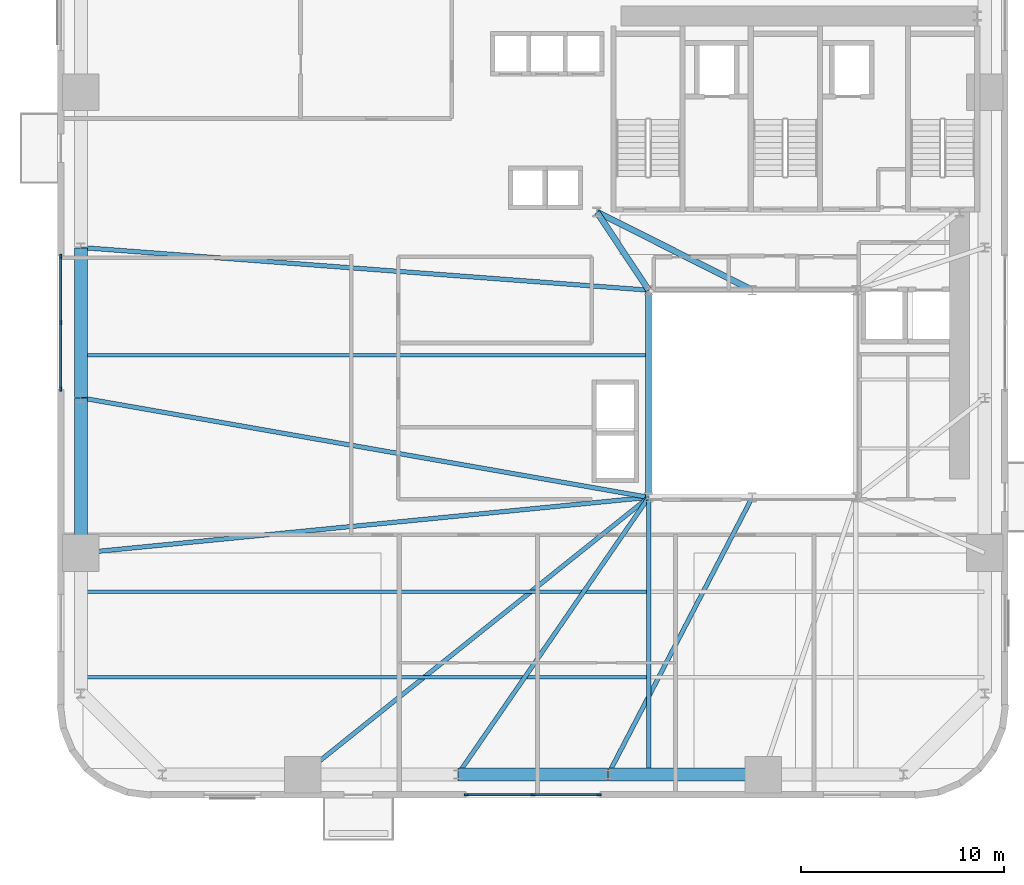
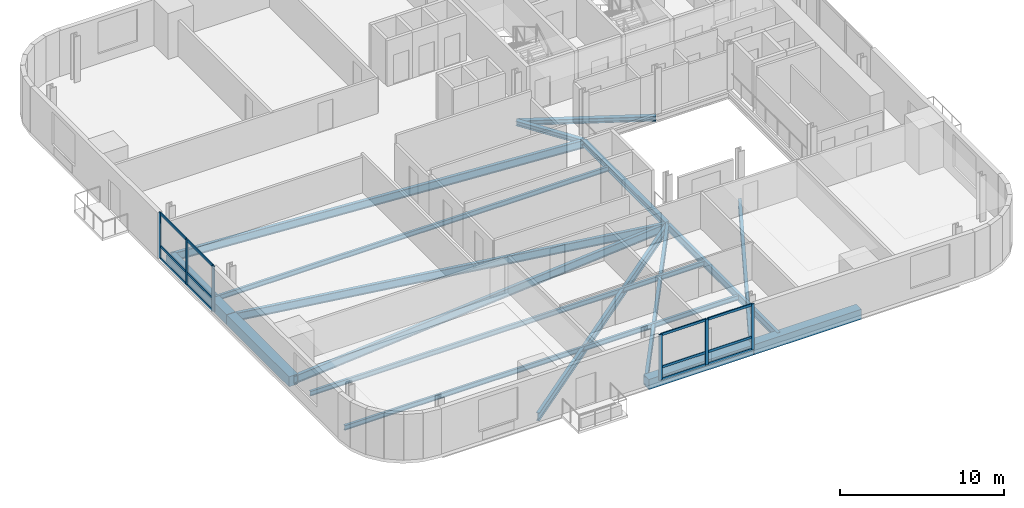
# One storey, part 2 of 11: 18 members, 17 beams, 2 elements without a shape of their own.
"""IFC4 building model written with IfcOpenShell, lengths in metres."""

from ifc_helpers import new_model, si_unit, direction, frame, origin, origin_2d, place, context, subcontext, project, spatial, rectangle, i_section, extrude, source, transform, mapped, material, material_profile, profile_set, type_object, element, aggregate, save


model = new_model("IFC4")

# Units and contexts
model_context = context("Model", 3, precision=1e-05, world=origin(), true_north=direction((0.0, 1.0)))
body_context = subcontext(model_context, "Body", "Model", "MODEL_VIEW")
ifc_project = project(units=[si_unit("LENGTHUNIT", "METRE"), si_unit("AREAUNIT", "SQUARE_METRE"), si_unit("VOLUMEUNIT", "CUBIC_METRE"), si_unit("PLANEANGLEUNIT", "RADIAN"), si_unit("MASSUNIT", "GRAM", prefix="KILO")], contexts=[model_context])

# Site, building, storey
site_placement = place(None, origin())
site = spatial("IfcSite", under=ifc_project, at=site_placement, CompositionType="ELEMENT")
building_placement = place(site_placement, origin())
building = spatial("IfcBuilding", under=site, at=building_placement, Name="Vardaveli Station Tower", CompositionType="ELEMENT")
storey_placement = place(building_placement, frame((0.0, 0.0, 78.699951171875)))
storey = spatial("IfcBuildingStorey", under=building, at=storey_placement, Name="L20", CompositionType="ELEMENT", Elevation=78.699951171875)

# Beams
ifc_material_1 = material(Name="Structural steel S355J2", Category="steel")
ifc_material_profile_1 = material_profile(ifc_material_1, i_section(OverallWidth=0.300048828125, OverallDepth=0.449951171875, WebThickness=0.013916015625, FlangeThickness=0.02587890625, FilletRadius=0.027099609375, at=origin_2d()), Name="HEB 450")
ifc_profile_set_1 = profile_set([ifc_material_profile_1], Name="Structural steel S355J2")
beam_type_1 = type_object("IfcBeamType", Name="BM-HEB450", PredefinedType="BEAM", material=ifc_profile_set_1)
shared_shape_1 = source(origin(), body_context, "Body", "SweptSolid", [
    extrude(i_section(OverallWidth=0.300048828125, OverallDepth=0.449951171875, WebThickness=0.013916015625, FlangeThickness=0.02587890625, FilletRadius=0.027099609375, at=origin_2d()), origin(), (0.0, 0.0, 1.0), 10.159912109375),
])
beam_1_placement = place(storey_placement, frame((31.199951171875, 26.780029296875, -0.46484375), z_axis=(0.0, -1.0, 0.0), x_axis=(1.0, 0.0, 0.0)))
element("IfcBeam", 1, at=beam_1_placement, inside=storey, type_object=beam_type_1, Name="ABM-L20-06", PredefinedType="BEAM", context=body_context, shape_type="MappedRepresentation", body=[
    mapped(shared_shape_1, transform((0.0, 0.0, 0.0), scale=1.0)),
])
ifc_material_profile_2 = material_profile(ifc_material_1, i_section(OverallWidth=0.300048828125, OverallDepth=0.360107421875, WebThickness=0.012451171875, FlangeThickness=0.0224609375, FilletRadius=0.027099609375, at=origin_2d()), Name="HEB 360")
ifc_profile_set_2 = profile_set([ifc_material_profile_2], Name="Structural steel S355J2")
beam_type_2 = type_object("IfcBeamType", Name="BM-HEB360", PredefinedType="BEAM", material=ifc_profile_set_2)
shared_shape_2 = source(origin(), body_context, "Body", "SweptSolid", [
    extrude(i_section(OverallWidth=0.300048828125, OverallDepth=0.360107421875, WebThickness=0.012451171875, FlangeThickness=0.0224609375, FilletRadius=0.027099609375, at=origin_2d()), origin(), (0.0, 0.0, 1.0), 4.577880859375),
])
beam_2_placement = place(storey_placement, frame((31.18896484375, 26.816650390625, -0.419921875), z_axis=(-0.55218702139, 0.833720272879, 0.0), x_axis=(-0.833720272879, -0.55218702139, 0.0)))
element("IfcBeam", 2, at=beam_2_placement, inside=storey, type_object=beam_type_2, Name="CBM-L20-01", PredefinedType="BEAM", context=body_context, shape_type="MappedRepresentation", body=[
    mapped(shared_shape_2, transform((0.0, 0.0, 0.0), scale=1.0)),
])
shared_shape_3 = source(origin(), body_context, "Body", "SweptSolid", [
    extrude(i_section(OverallWidth=0.300048828125, OverallDepth=0.360107421875, WebThickness=0.012451171875, FlangeThickness=0.0224609375, FilletRadius=0.027099609375, at=origin_2d()), origin(), (0.0, 0.0, 1.0), 8.524169921875),
])
beam_3_placement = place(storey_placement, frame((28.66796875, 30.64111328125, -0.419921875), z_axis=(0.893255584708, -0.449549174605, 0.0), x_axis=(0.449549174605, 0.893255584708, 0.0)))
element("IfcBeam", 3, at=beam_3_placement, inside=storey, type_object=beam_type_2, Name="CBM-L20-03", PredefinedType="BEAM", context=body_context, shape_type="MappedRepresentation", body=[
    mapped(shared_shape_3, transform((0.0, 0.0, 0.0), scale=1.0)),
])
ifc_material_2 = material(Name="Precast concrete C45/55", Category="concrete")
ifc_material_profile_3 = material_profile(ifc_material_2, rectangle(XDim=0.64990234375, YDim=0.75, at=origin_2d()), Name="LPB 650x750")
ifc_profile_set_3 = profile_set([ifc_material_profile_3], Name="Precast concrete C45/55")
beam_type_3 = type_object("IfcBeamType", Name="BM-LPB-750", PredefinedType="BEAM", material=ifc_profile_set_3)
shared_shape_4 = source(origin(), body_context, "Body", "SweptSolid", [
    extrude(rectangle(XDim=0.64990234375, YDim=0.75, at=origin_2d()), origin(), (0.0, 0.0, 1.0), 7.60009765625),
])
for number, where, z_axis, x_axis, name in (
    (4, (29.219970703125, 2.949951171875, -0.614990234375), (1.0, 0.0, 0.0), (0.0, 1.0, 0.0), "RBM-L20-03"),
    (5, (3.25, 21.47998046875, -0.614990234375), (0.0, -1.0, 0.0), (1.0, 0.0, 0.0), "RBM-L20-21"),
):
    element("IfcBeam", number, at=place(storey_placement, frame(where, z_axis=z_axis, x_axis=x_axis)), inside=storey, type_object=beam_type_3, Name=name, PredefinedType="BEAM", context=body_context, shape_type="MappedRepresentation", body=[
        mapped(shared_shape_4, transform((0.0, 0.0, 0.0), scale=1.0)),
    ])
shared_shape_5 = source(origin(), body_context, "Body", "SweptSolid", [
    extrude(rectangle(XDim=0.64990234375, YDim=0.75, at=origin_2d()), origin(), (0.0, 0.0, 1.0), 7.35986328125),
])
for number, where, z_axis, x_axis, name in (
    (6, (21.820068359375, 2.949951171875, -0.614990234375), (1.0, 0.0, 0.0), (0.0, 1.0, 0.0), "RBM-L20-02"),
    (7, (3.25, 28.8798828125, -0.614990234375), (0.0, -1.0, 0.0), (1.0, 0.0, 0.0), "RBM-L20-20"),
):
    element("IfcBeam", number, at=place(storey_placement, frame(where, z_axis=z_axis, x_axis=x_axis)), inside=storey, type_object=beam_type_3, Name=name, PredefinedType="BEAM", context=body_context, shape_type="MappedRepresentation", body=[
        mapped(shared_shape_5, transform((0.0, 0.0, 0.0), scale=1.0)),
    ])
ifc_material_profile_4 = material_profile(ifc_material_1, i_section(OverallWidth=0.219970703125, OverallDepth=0.60009765625, WebThickness=0.011962890625, FlangeThickness=0.01904296875, FilletRadius=0.02392578125, at=origin_2d()), Name="IPE 600")
ifc_profile_set_4 = profile_set([ifc_material_profile_4], Name="Structural steel S355J2")
beam_type_4 = type_object("IfcBeamType", Name="BM-IPE600", PredefinedType="BEAM", material=ifc_profile_set_4)
shared_shape_6 = source(origin(), body_context, "Body", "SweptSolid", [
    extrude(i_section(OverallWidth=0.219970703125, OverallDepth=0.60009765625, WebThickness=0.011962890625, FlangeThickness=0.01904296875, FilletRadius=0.02392578125, at=origin_2d()), origin(), (0.0, 0.0, 1.0), 21.793212890625),
])
beam_4_placement = place(storey_placement, frame((14.175537109375, 2.96240234375, -0.5400390625), z_axis=(0.780466445023, 0.625197671296, 0.0), x_axis=(-0.625197671296, 0.780466445023, 0.0)))
element("IfcBeam", 8, at=beam_4_placement, inside=storey, type_object=beam_type_4, Name="GBM-L20-01", PredefinedType="BEAM", context=body_context, shape_type="MappedRepresentation", body=[
    mapped(shared_shape_6, transform((0.0, 0.0, 0.0), scale=1.0)),
])
shared_shape_7 = source(origin(), body_context, "Body", "SweptSolid", [
    extrude(i_section(OverallWidth=0.219970703125, OverallDepth=0.60009765625, WebThickness=0.011962890625, FlangeThickness=0.01904296875, FilletRadius=0.02392578125, at=origin_2d()), origin(), (0.0, 0.0, 1.0), 16.533447265625),
])
beam_5_placement = place(storey_placement, frame((21.811279296875, 2.966552734375, -0.5400390625), z_axis=(0.567177272103, 0.823595739431, 0.0), x_axis=(-0.823595739431, 0.567177272103, 0.0)))
element("IfcBeam", 9, at=beam_5_placement, inside=storey, type_object=beam_type_4, Name="GBM-L20-02", PredefinedType="BEAM", context=body_context, shape_type="MappedRepresentation", body=[
    mapped(shared_shape_7, transform((0.0, 0.0, 0.0), scale=1.0)),
])
shared_shape_8 = source(origin(), body_context, "Body", "SweptSolid", [
    extrude(i_section(OverallWidth=0.219970703125, OverallDepth=0.60009765625, WebThickness=0.011962890625, FlangeThickness=0.01904296875, FilletRadius=0.02392578125, at=origin_2d()), origin(), (0.0, 0.0, 1.0), 15.34619140625),
])
beam_6_placement = place(storey_placement, frame((29.209228515625, 2.9677734375, -0.5400390625), z_axis=(0.461455420507, 0.887163398075, 0.0), x_axis=(-0.887163398075, 0.461455420507, 0.0)))
element("IfcBeam", 10, at=beam_6_placement, inside=storey, type_object=beam_type_4, Name="GBM-L20-03", PredefinedType="BEAM", context=body_context, shape_type="MappedRepresentation", body=[
    mapped(shared_shape_8, transform((0.0, 0.0, 0.0), scale=1.0)),
])
shared_shape_9 = source(origin(), body_context, "Body", "SweptSolid", [
    extrude(i_section(OverallWidth=0.219970703125, OverallDepth=0.60009765625, WebThickness=0.011962890625, FlangeThickness=0.01904296875, FilletRadius=0.02392578125, at=origin_2d()), origin(), (0.0, 0.0, 1.0), 27.98876953125),
])
beam_7_placement = place(storey_placement, frame((3.27001953125, 28.8984375, -0.5400390625), z_axis=(0.99718954315, -0.074920057611, 0.0), x_axis=(0.074920057611, 0.99718954315, 0.0)))
element("IfcBeam", 11, at=beam_7_placement, inside=storey, type_object=beam_type_4, Name="GBM-L20-08", PredefinedType="BEAM", context=body_context, shape_type="MappedRepresentation", body=[
    mapped(shared_shape_9, transform((0.0, 0.0, 0.0), scale=1.0)),
])
shared_shape_10 = source(origin(), body_context, "Body", "SweptSolid", [
    extrude(i_section(OverallWidth=0.219970703125, OverallDepth=0.60009765625, WebThickness=0.011962890625, FlangeThickness=0.01904296875, FilletRadius=0.02392578125, at=origin_2d()), origin(), (0.0, 0.0, 1.0), 28.33642578125),
])
beam_8_placement = place(storey_placement, frame((3.269775390625, 21.49658203125, -0.5400390625), z_axis=(0.984978267336, -0.172678350921, 0.0), x_axis=(0.172678350921, 0.984978267336, 0.0)))
element("IfcBeam", 12, at=beam_8_placement, inside=storey, type_object=beam_type_4, Name="GBM-L20-09", PredefinedType="BEAM", context=body_context, shape_type="MappedRepresentation", body=[
    mapped(shared_shape_10, transform((0.0, 0.0, 0.0), scale=1.0)),
])
shared_shape_11 = source(origin(), body_context, "Body", "SweptSolid", [
    extrude(i_section(OverallWidth=0.219970703125, OverallDepth=0.60009765625, WebThickness=0.011962890625, FlangeThickness=0.01904296875, FilletRadius=0.02392578125, at=origin_2d()), origin(), (0.0, 0.0, 1.0), 28.0439453125),
])
beam_9_placement = place(storey_placement, frame((3.27001953125, 13.862060546875, -0.5400390625), z_axis=(0.995229237856, 0.097564153855, 0.0), x_axis=(-0.097564153855, 0.995229237856, 0.0)))
element("IfcBeam", 13, at=beam_9_placement, inside=storey, type_object=beam_type_4, Name="GBM-L20-10", PredefinedType="BEAM", context=body_context, shape_type="MappedRepresentation", body=[
    mapped(shared_shape_11, transform((0.0, 0.0, 0.0), scale=1.0)),
])
ifc_material_profile_5 = material_profile(ifc_material_1, i_section(OverallWidth=0.2099609375, OverallDepth=0.550048828125, WebThickness=0.010986328125, FlangeThickness=0.01708984375, FilletRadius=0.02392578125, at=origin_2d()), Name="IPE 550")
ifc_profile_set_5 = profile_set([ifc_material_profile_5], Name="Structural steel S355J2")
beam_type_5 = type_object("IfcBeamType", Name="BM-IPE550", PredefinedType="BEAM", material=ifc_profile_set_5)
shared_shape_12 = source(origin(), body_context, "Body", "SweptSolid", [
    extrude(i_section(OverallWidth=0.2099609375, OverallDepth=0.550048828125, WebThickness=0.010986328125, FlangeThickness=0.01708984375, FilletRadius=0.02392578125, at=origin_2d()), origin(), (0.0, 0.0, 1.0), 13.469970703125),
])
beam_10_placement = place(storey_placement, frame((31.199951171875, 2.989990234375, -0.514892578125), z_axis=(0.0, 1.0, 0.0), x_axis=(-1.0, 0.0, 0.0)))
element("IfcBeam", 14, at=beam_10_placement, inside=storey, type_object=beam_type_5, Name="NSM-L20-S1", PredefinedType="BEAM", context=body_context, shape_type="MappedRepresentation", body=[
    mapped(shared_shape_12, transform((0.0, 0.0, 0.0), scale=1.0)),
])
ifc_material_profile_6 = material_profile(ifc_material_1, i_section(OverallWidth=0.169921875, OverallDepth=0.360107421875, WebThickness=0.008056640625, FlangeThickness=0.0126953125, FilletRadius=0.01806640625, at=origin_2d()), Name="IPE 360")
ifc_profile_set_6 = profile_set([ifc_material_profile_6], Name="Structural steel S355J2")
beam_type_6 = type_object("IfcBeamType", Name="BM-IPE360", PredefinedType="JOIST", material=ifc_profile_set_6)
shared_shape_13 = source(origin(), body_context, "Body", "SweptSolid", [
    extrude(i_section(OverallWidth=0.169921875, OverallDepth=0.360107421875, WebThickness=0.008056640625, FlangeThickness=0.0126953125, FilletRadius=0.01806640625, at=origin_2d()), origin(), (0.0, 0.0, 1.0), 27.7978515625),
])
for number, where, z_axis, x_axis, name in (
    (15, (3.2900390625, 7.75, -0.419921875), (1.0, 0.0, 0.0), (0.0, 1.0, 0.0), "SJ-L20-S01"),
    (16, (3.2900390625, 11.949951171875, -0.419921875), (1.0, 0.0, 0.0), (0.0, 1.0, 0.0), "SJ-L20-S04"),
    (17, (3.2900390625, 23.60009765625, -0.419921875), (1.0, 0.0, 0.0), (0.0, 1.0, 0.0), "SJ-L20-W08"),
):
    element("IfcBeam", number, at=place(storey_placement, frame(where, z_axis=z_axis, x_axis=x_axis)), inside=storey, type_object=beam_type_6, Name=name, PredefinedType="JOIST", context=body_context, shape_type="MappedRepresentation", body=[
        mapped(shared_shape_13, transform((0.0, 0.0, 0.0), scale=1.0)),
    ])

# Curtain wall, members
ifc_material_3 = material(Name="Travertine stone and solar-control glass", Category="masonry")
curtain_wall_type = type_object("IfcCurtainWallType", Name="CW-SYS-2", PredefinedType="NOTDEFINED", material=ifc_material_3)
curtain_wall_1_placement = place(storey_placement, origin())
curtain_wall_1 = element("IfcCurtainWall", 18, at=curtain_wall_1_placement, inside=storey, type_object=curtain_wall_type, Name="CW-L20-S", PredefinedType="NOTDEFINED")
ifc_material_4 = material(Name="Anodised aluminium alloy 6063-T6", Category="aluminium")
ifc_material_profile_7 = material_profile(ifc_material_4, rectangle(XDim=0.0849609375, YDim=0.179931640625, at=origin_2d()), Name="CWT 85x180")
ifc_profile_set_7 = profile_set([ifc_material_profile_7], Name="Anodised aluminium alloy 6063-T6")
member_type_1 = type_object("IfcMemberType", Name="CW-SYS-2-TRAN", PredefinedType="NOTDEFINED", material=ifc_profile_set_7)
shared_shape_14 = source(origin(), body_context, "Body", "SweptSolid", [
    extrude(rectangle(XDim=0.0849609375, YDim=0.179931640625, at=origin_2d()), origin(), (0.0, 0.0, 1.0), 3.172607421875),
])
member_1_placement = place(storey_placement, frame((22.284912109375, 1.9599609375, 0.04248046875), z_axis=(1.0, 0.0, 0.0), x_axis=(0.0, 1.0, 0.0)))
member_1 = element("IfcMember", 19, at=member_1_placement, type_object=member_type_1, Name="CW-2 transom 1.1", ObjectType="TRANSOM", PredefinedType="USERDEFINED", context=body_context, shape_type="MappedRepresentation", body=[
    mapped(shared_shape_14, transform((0.0, 0.0, 0.0), scale=1.0)),
])
member_2_placement = place(storey_placement, frame((22.284912109375, 1.9599609375, 0.949951171875), z_axis=(1.0, 0.0, 0.0), x_axis=(0.0, 1.0, 0.0)))
member_2 = element("IfcMember", 20, at=member_2_placement, type_object=member_type_1, Name="CW-2 transom 1.2", ObjectType="TRANSOM", PredefinedType="USERDEFINED", context=body_context, shape_type="MappedRepresentation", body=[
    mapped(shared_shape_14, transform((0.0, 0.0, 0.0), scale=1.0)),
])
member_3_placement = place(storey_placement, frame((22.284912109375, 1.9599609375, 3.367431640625), z_axis=(1.0, 0.0, 0.0), x_axis=(0.0, 1.0, 0.0)))
member_3 = element("IfcMember", 21, at=member_3_placement, type_object=member_type_1, Name="CW-2 transom 1.3", ObjectType="TRANSOM", PredefinedType="USERDEFINED", context=body_context, shape_type="MappedRepresentation", body=[
    mapped(shared_shape_14, transform((0.0, 0.0, 0.0), scale=1.0)),
])
member_4_placement = place(storey_placement, frame((25.54248046875, 1.9599609375, 0.04248046875), z_axis=(1.0, 0.0, 0.0), x_axis=(0.0, 1.0, 0.0)))
member_4 = element("IfcMember", 22, at=member_4_placement, type_object=member_type_1, Name="CW-2 transom 2.1", ObjectType="TRANSOM", PredefinedType="USERDEFINED", context=body_context, shape_type="MappedRepresentation", body=[
    mapped(shared_shape_14, transform((0.0, 0.0, 0.0), scale=1.0)),
])
member_5_placement = place(storey_placement, frame((25.54248046875, 1.9599609375, 0.949951171875), z_axis=(1.0, 0.0, 0.0), x_axis=(0.0, 1.0, 0.0)))
member_5 = element("IfcMember", 23, at=member_5_placement, type_object=member_type_1, Name="CW-2 transom 2.2", ObjectType="TRANSOM", PredefinedType="USERDEFINED", context=body_context, shape_type="MappedRepresentation", body=[
    mapped(shared_shape_14, transform((0.0, 0.0, 0.0), scale=1.0)),
])
member_6_placement = place(storey_placement, frame((25.54248046875, 1.9599609375, 3.367431640625), z_axis=(1.0, 0.0, 0.0), x_axis=(0.0, 1.0, 0.0)))
member_6 = element("IfcMember", 24, at=member_6_placement, type_object=member_type_1, Name="CW-2 transom 2.3", ObjectType="TRANSOM", PredefinedType="USERDEFINED", context=body_context, shape_type="MappedRepresentation", body=[
    mapped(shared_shape_14, transform((0.0, 0.0, 0.0), scale=1.0)),
])

curtain_wall_2_placement = place(storey_placement, origin())
curtain_wall_2 = element("IfcCurtainWall", 25, at=curtain_wall_2_placement, inside=storey, type_object=curtain_wall_type, Name="CW-L20-W", PredefinedType="NOTDEFINED")
member_7_placement = place(storey_placement, frame((2.260009765625, 28.4150390625, 0.04248046875), z_axis=(0.0, -1.0, 0.0), x_axis=(1.0, 0.0, 0.0)))
member_7 = element("IfcMember", 26, at=member_7_placement, type_object=member_type_1, Name="CW-2 transom 1.1", ObjectType="TRANSOM", PredefinedType="USERDEFINED", context=body_context, shape_type="MappedRepresentation", body=[
    mapped(shared_shape_14, transform((0.0, 0.0, 0.0), scale=1.0)),
])
member_8_placement = place(storey_placement, frame((2.260009765625, 28.4150390625, 0.949951171875), z_axis=(0.0, -1.0, 0.0), x_axis=(1.0, 0.0, 0.0)))
member_8 = element("IfcMember", 27, at=member_8_placement, type_object=member_type_1, Name="CW-2 transom 1.2", ObjectType="TRANSOM", PredefinedType="USERDEFINED", context=body_context, shape_type="MappedRepresentation", body=[
    mapped(shared_shape_14, transform((0.0, 0.0, 0.0), scale=1.0)),
])
member_9_placement = place(storey_placement, frame((2.260009765625, 28.4150390625, 3.367431640625), z_axis=(0.0, -1.0, 0.0), x_axis=(1.0, 0.0, 0.0)))
member_9 = element("IfcMember", 28, at=member_9_placement, type_object=member_type_1, Name="CW-2 transom 1.3", ObjectType="TRANSOM", PredefinedType="USERDEFINED", context=body_context, shape_type="MappedRepresentation", body=[
    mapped(shared_shape_14, transform((0.0, 0.0, 0.0), scale=1.0)),
])
shared_shape_15 = source(origin(), body_context, "Body", "SweptSolid", [
    extrude(rectangle(XDim=0.0849609375, YDim=0.179931640625, at=origin_2d()), origin(), (0.0, 0.0, 1.0), 3.17236328125),
])
member_10_placement = place(storey_placement, frame((2.260009765625, 25.157470703125, 0.04248046875), z_axis=(0.0, -1.0, 0.0), x_axis=(1.0, 0.0, 0.0)))
member_10 = element("IfcMember", 29, at=member_10_placement, type_object=member_type_1, Name="CW-2 transom 2.1", ObjectType="TRANSOM", PredefinedType="USERDEFINED", context=body_context, shape_type="MappedRepresentation", body=[
    mapped(shared_shape_15, transform((0.0, 0.0, 0.0), scale=1.0)),
])
member_11_placement = place(storey_placement, frame((2.260009765625, 25.157470703125, 0.949951171875), z_axis=(0.0, -1.0, 0.0), x_axis=(1.0, 0.0, 0.0)))
member_11 = element("IfcMember", 30, at=member_11_placement, type_object=member_type_1, Name="CW-2 transom 2.2", ObjectType="TRANSOM", PredefinedType="USERDEFINED", context=body_context, shape_type="MappedRepresentation", body=[
    mapped(shared_shape_15, transform((0.0, 0.0, 0.0), scale=1.0)),
])
member_12_placement = place(storey_placement, frame((2.260009765625, 25.157470703125, 3.367431640625), z_axis=(0.0, -1.0, 0.0), x_axis=(1.0, 0.0, 0.0)))
member_12 = element("IfcMember", 31, at=member_12_placement, type_object=member_type_1, Name="CW-2 transom 2.3", ObjectType="TRANSOM", PredefinedType="USERDEFINED", context=body_context, shape_type="MappedRepresentation", body=[
    mapped(shared_shape_15, transform((0.0, 0.0, 0.0), scale=1.0)),
])

# Member
ifc_material_profile_8 = material_profile(ifc_material_4, rectangle(XDim=0.0849609375, YDim=0.219970703125, at=origin_2d()), Name="CWM 85x220")
ifc_profile_set_8 = profile_set([ifc_material_profile_8], Name="Anodised aluminium alloy 6063-T6")
member_type_2 = type_object("IfcMemberType", Name="CW-SYS-2-MULL", PredefinedType="MULLION", material=ifc_profile_set_8)
shared_shape_16 = source(origin(), body_context, "Body", "SweptSolid", [
    extrude(rectangle(XDim=0.0849609375, YDim=0.219970703125, at=origin_2d()), origin(), (0.0, 0.0, 1.0), 3.41015625),
])
member_13_placement = place(storey_placement, frame((22.242431640625, 1.9599609375, 0.0), z_axis=(0.0, 0.0, 1.0), x_axis=(0.0, 1.0, 0.0)))
member_13 = element("IfcMember", 32, at=member_13_placement, type_object=member_type_2, Name="CW-2 mullion 1", PredefinedType="MULLION", context=body_context, shape_type="MappedRepresentation", body=[
    mapped(shared_shape_16, transform((0.0, 0.0, 0.0), scale=1.0)),
])

member_14_placement = place(storey_placement, frame((25.5, 1.9599609375, 0.0), z_axis=(0.0, 0.0, 1.0), x_axis=(0.0, 1.0, 0.0)))
member_14 = element("IfcMember", 33, at=member_14_placement, type_object=member_type_2, Name="CW-2 mullion 2", PredefinedType="MULLION", context=body_context, shape_type="MappedRepresentation", body=[
    mapped(shared_shape_16, transform((0.0, 0.0, 0.0), scale=1.0)),
])

member_15_placement = place(storey_placement, frame((28.757568359375, 1.9599609375, 0.0), z_axis=(0.0, 0.0, 1.0), x_axis=(0.0, 1.0, 0.0)))
member_15 = element("IfcMember", 34, at=member_15_placement, type_object=member_type_2, Name="CW-2 mullion 3", PredefinedType="MULLION", context=body_context, shape_type="MappedRepresentation", body=[
    mapped(shared_shape_16, transform((0.0, 0.0, 0.0), scale=1.0)),
])

aggregate(curtain_wall_1, [member_13, member_14, member_15, member_1, member_2, member_3, member_4, member_5, member_6])

member_16_placement = place(storey_placement, frame((2.260009765625, 28.45751953125, 0.0), z_axis=(0.0, 0.0, 1.0), x_axis=(1.0, 0.0, 0.0)))
member_16 = element("IfcMember", 35, at=member_16_placement, type_object=member_type_2, Name="CW-2 mullion 1", PredefinedType="MULLION", context=body_context, shape_type="MappedRepresentation", body=[
    mapped(shared_shape_16, transform((0.0, 0.0, 0.0), scale=1.0)),
])

member_17_placement = place(storey_placement, frame((2.260009765625, 25.199951171875, 0.0), z_axis=(0.0, 0.0, 1.0), x_axis=(1.0, 0.0, 0.0)))
member_17 = element("IfcMember", 36, at=member_17_placement, type_object=member_type_2, Name="CW-2 mullion 2", PredefinedType="MULLION", context=body_context, shape_type="MappedRepresentation", body=[
    mapped(shared_shape_16, transform((0.0, 0.0, 0.0), scale=1.0)),
])

member_18_placement = place(storey_placement, frame((2.260009765625, 21.9423828125, 0.0), z_axis=(0.0, 0.0, 1.0), x_axis=(1.0, 0.0, 0.0)))
member_18 = element("IfcMember", 37, at=member_18_placement, type_object=member_type_2, Name="CW-2 mullion 3", PredefinedType="MULLION", context=body_context, shape_type="MappedRepresentation", body=[
    mapped(shared_shape_16, transform((0.0, 0.0, 0.0), scale=1.0)),
])

aggregate(curtain_wall_2, [member_16, member_17, member_18, member_7, member_8, member_9, member_10, member_11, member_12])

save(model, "model.ifc")
